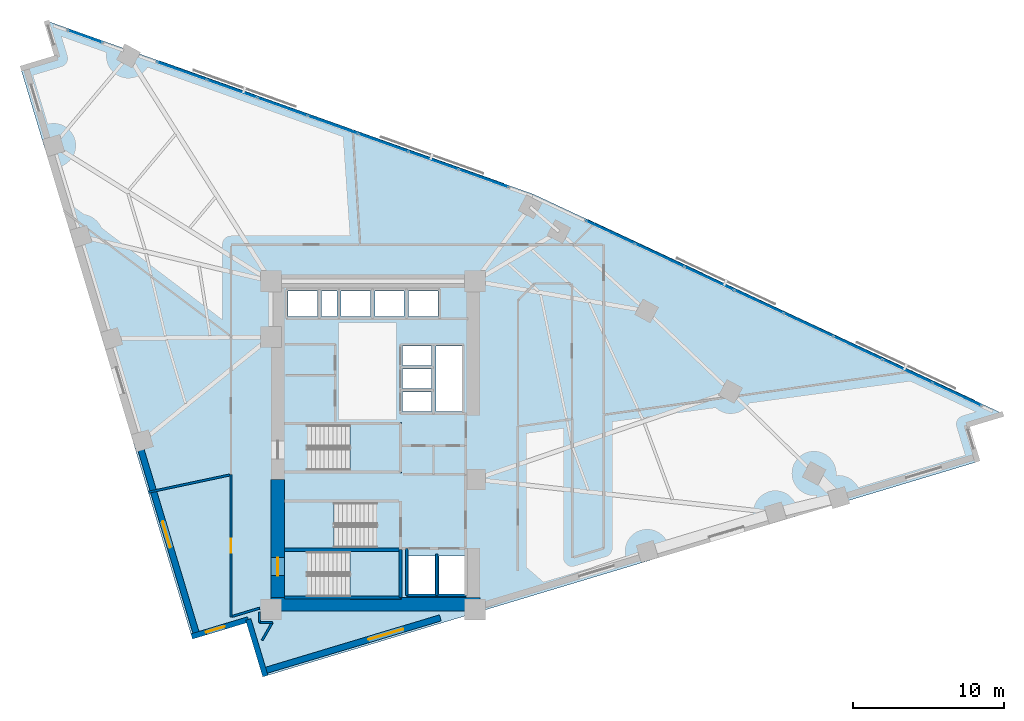
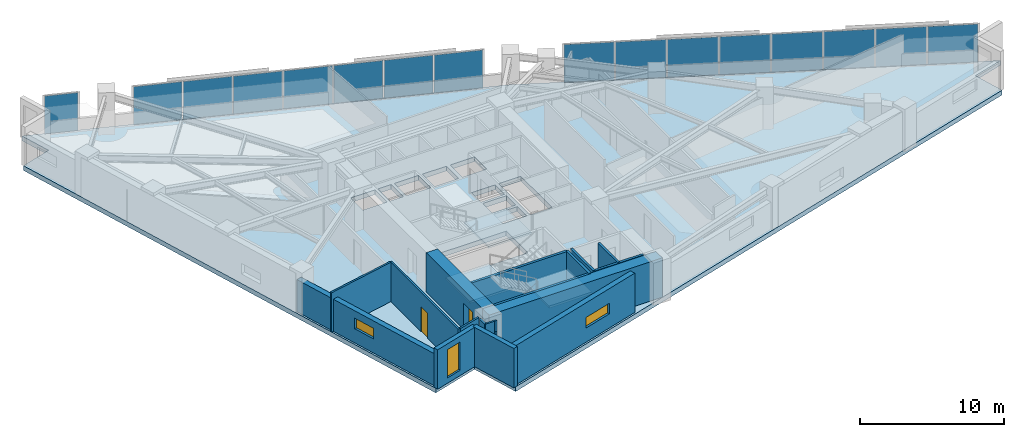
# One storey, part 9 of 16: 18 plates, 18 walls, 4 slabs, 3 windows, 2 doors, 5 openings, 6 elements without a shape of their own.
"""IFC4 building model written with IfcOpenShell, lengths in metres."""

from ifc_helpers import new_model, si_unit, direction, frame, frame_2d, origin, origin_2d, place, context, subcontext, project, spatial, polyline, rectangle, outline, extrude, material, layer, layer_set, type_object, element, fill, aggregate, save


model = new_model("IFC4")

# Units and contexts
model_context = context("Model", 3, precision=1e-05, world=origin(), true_north=direction((0.0, 1.0)))
body_context = subcontext(model_context, "Body", "Model", "MODEL_VIEW")
ifc_project = project(units=[si_unit("LENGTHUNIT", "METRE"), si_unit("AREAUNIT", "SQUARE_METRE"), si_unit("VOLUMEUNIT", "CUBIC_METRE"), si_unit("PLANEANGLEUNIT", "RADIAN"), si_unit("MASSUNIT", "GRAM", prefix="KILO")], contexts=[model_context])

# Site, building, storey
site_placement = place(None, origin())
site = spatial("IfcSite", under=ifc_project, at=site_placement, CompositionType="ELEMENT")
building_placement = place(site_placement, origin())
building = spatial("IfcBuilding", under=site, at=building_placement, Name="Narakoshi Arena Tower", CompositionType="ELEMENT")
storey_placement = place(building_placement, frame((0.0, 0.0, 132.300048828125)))
storey = spatial("IfcBuildingStorey", under=building, at=storey_placement, Name="L35", CompositionType="ELEMENT", Elevation=132.300048828125)

# Curtain wall, plates
ifc_material_1 = material(Name="Anodised bronze aluminium 6063-T6", Category="aluminium")
curtain_wall_type = type_object("IfcCurtainWallType", Name="CW-HYP-MID", PredefinedType="NOTDEFINED", material=ifc_material_1)
curtain_wall_1_placement = place(storey_placement, origin())
curtain_wall_1 = element("IfcCurtainWall", 1, at=curtain_wall_1_placement, inside=storey, type_object=curtain_wall_type, Name="L35 Folded Hypotenuse Curtain Wall 1-1", PredefinedType="NOTDEFINED")
ifc_material_2 = material(Name="Bronze-tinted low-E laminated glass", Category="glass")
ifc_layer_1 = layer(ifc_material_2, 0.0380859375)
ifc_layer_set_1 = layer_set([ifc_layer_1], Name="Bronze-tinted low-E laminated glass")
plate_type_1 = type_object("IfcPlateType", Name="PLT-GLZ-38", PredefinedType="CURTAIN_PANEL", material=ifc_layer_set_1)
plate_1_placement = place(storey_placement, frame((117.545166015625, 49.0, 0.06494140625), z_axis=(0.0, 0.0, 1.0), x_axis=(-0.905881273009, 0.423531721612, 0.0)))
plate_1 = element("IfcPlate", 2, at=plate_1_placement, type_object=plate_type_1, Name="CW-02 panel 1.1", PredefinedType="CURTAIN_PANEL", context=body_context, shape_type="SweptSolid", body=[
    extrude(rectangle(XDim=3.52099609375, YDim=0.0380859375, at=origin_2d()), origin(), (0.0, 0.0, 1.0), 3.2099609375),
])
plate_2_placement = place(storey_placement, frame((114.270751953125, 50.531005859375, 0.06494140625), z_axis=(0.0, 0.0, 1.0), x_axis=(-0.905881273009, 0.423531721612, 0.0)))
plate_2 = element("IfcPlate", 3, at=plate_2_placement, type_object=plate_type_1, Name="CW-02 panel 2.1", PredefinedType="CURTAIN_PANEL", context=body_context, shape_type="SweptSolid", body=[
    extrude(rectangle(XDim=3.558349609375, YDim=0.0380859375, at=origin_2d()), origin(), (0.0, 0.0, 1.0), 3.2099609375),
])
plate_3_placement = place(storey_placement, frame((110.979248046875, 52.06982421875, 0.06494140625), z_axis=(0.0, 0.0, 1.0), x_axis=(-0.905881273009, 0.423531721612, 0.0)))
plate_3 = element("IfcPlate", 4, at=plate_3_placement, type_object=plate_type_1, Name="CW-02 panel 3.1", PredefinedType="CURTAIN_PANEL", context=body_context, shape_type="SweptSolid", body=[
    extrude(rectangle(XDim=3.558349609375, YDim=0.0380859375, at=origin_2d()), origin(), (0.0, 0.0, 1.0), 3.2099609375),
])
plate_4_placement = place(storey_placement, frame((107.687744140625, 53.60888671875, 0.06494140625), z_axis=(0.0, 0.0, 1.0), x_axis=(-0.905881273009, 0.423531721612, 0.0)))
plate_4 = element("IfcPlate", 5, at=plate_4_placement, type_object=plate_type_1, Name="CW-02 panel 4.1", PredefinedType="CURTAIN_PANEL", context=body_context, shape_type="SweptSolid", body=[
    extrude(rectangle(XDim=3.558349609375, YDim=0.0380859375, at=origin_2d()), origin(), (0.0, 0.0, 1.0), 3.2099609375),
])
plate_5_placement = place(storey_placement, frame((104.396240234375, 55.147705078125, 0.06494140625), z_axis=(0.0, 0.0, 1.0), x_axis=(-0.905881273009, 0.423531721612, 0.0)))
plate_5 = element("IfcPlate", 6, at=plate_5_placement, type_object=plate_type_1, Name="CW-02 panel 5.1", PredefinedType="CURTAIN_PANEL", context=body_context, shape_type="SweptSolid", body=[
    extrude(rectangle(XDim=3.558349609375, YDim=0.0380859375, at=origin_2d()), origin(), (0.0, 0.0, 1.0), 3.2099609375),
])
plate_6_placement = place(storey_placement, frame((101.104736328125, 56.6865234375, 0.06494140625), z_axis=(0.0, 0.0, 1.0), x_axis=(-0.905881273009, 0.423531721612, 0.0)))
plate_6 = element("IfcPlate", 7, at=plate_6_placement, type_object=plate_type_1, Name="CW-02 panel 6.1", PredefinedType="CURTAIN_PANEL", context=body_context, shape_type="SweptSolid", body=[
    extrude(rectangle(XDim=3.558349609375, YDim=0.0380859375, at=origin_2d()), origin(), (0.0, 0.0, 1.0), 3.2099609375),
])
plate_7_placement = place(storey_placement, frame((97.813232421875, 58.2255859375, 0.06494140625), z_axis=(0.0, 0.0, 1.0), x_axis=(-0.905881273009, 0.423531721612, 0.0)))
plate_7 = element("IfcPlate", 8, at=plate_7_placement, type_object=plate_type_1, Name="CW-02 panel 7.1", PredefinedType="CURTAIN_PANEL", context=body_context, shape_type="SweptSolid", body=[
    extrude(rectangle(XDim=3.558349609375, YDim=0.0380859375, at=origin_2d()), origin(), (0.0, 0.0, 1.0), 3.2099609375),
])
plate_8_placement = place(storey_placement, frame((94.538818359375, 59.75634765625, 0.06494140625), z_axis=(0.0, 0.0, 1.0), x_axis=(-0.905881273009, 0.423531721612, 0.0)))
plate_8 = element("IfcPlate", 9, at=plate_8_placement, type_object=plate_type_1, Name="CW-02 panel 8.1", PredefinedType="CURTAIN_PANEL", context=body_context, shape_type="SweptSolid", body=[
    extrude(rectangle(XDim=3.52099609375, YDim=0.0380859375, at=origin_2d()), origin(), (0.0, 0.0, 1.0), 3.2099609375),
])
aggregate(curtain_wall_1, [plate_1, plate_2, plate_3, plate_4, plate_5, plate_6, plate_7, plate_8])

curtain_wall_2_placement = place(storey_placement, origin())
curtain_wall_2 = element("IfcCurtainWall", 10, at=curtain_wall_2_placement, inside=storey, type_object=curtain_wall_type, Name="L35 Folded Hypotenuse Curtain Wall 2-1", PredefinedType="NOTDEFINED")
plate_9_placement = place(storey_placement, frame((86.125244140625, 63.327880859375, 0.06494140625), z_axis=(0.0, 0.0, 1.0), x_axis=(-0.94203368957, 0.335518297139, 0.0)))
plate_9 = element("IfcPlate", 11, at=plate_9_placement, type_object=plate_type_1, Name="CW-02 panel 1.1", PredefinedType="CURTAIN_PANEL", context=body_context, shape_type="SweptSolid", body=[
    extrude(rectangle(XDim=3.437744140625, YDim=0.0380859375, at=origin_2d()), origin(), (0.0, 0.0, 1.0), 3.2099609375),
])
plate_10_placement = place(storey_placement, frame((82.79833984375, 64.512939453125, 0.06494140625), z_axis=(0.0, 0.0, 1.0), x_axis=(-0.94203368957, 0.335518297139, 0.0)))
plate_10 = element("IfcPlate", 12, at=plate_10_placement, type_object=plate_type_1, Name="CW-02 panel 2.1", PredefinedType="CURTAIN_PANEL", context=body_context, shape_type="SweptSolid", body=[
    extrude(rectangle(XDim=3.475341796875, YDim=0.0380859375, at=origin_2d()), origin(), (0.0, 0.0, 1.0), 3.2099609375),
])
plate_11_placement = place(storey_placement, frame((79.453857421875, 65.7041015625, 0.06494140625), z_axis=(0.0, 0.0, 1.0), x_axis=(-0.94203368957, 0.335518297139, 0.0)))
plate_11 = element("IfcPlate", 13, at=plate_11_placement, type_object=plate_type_1, Name="CW-02 panel 3.1", PredefinedType="CURTAIN_PANEL", context=body_context, shape_type="SweptSolid", body=[
    extrude(rectangle(XDim=3.475341796875, YDim=0.0380859375, at=origin_2d()), origin(), (0.0, 0.0, 1.0), 3.2099609375),
])
plate_12_placement = place(storey_placement, frame((76.109130859375, 66.895263671875, 0.06494140625), z_axis=(0.0, 0.0, 1.0), x_axis=(-0.94203368957, 0.335518297139, 0.0)))
plate_12 = element("IfcPlate", 14, at=plate_12_placement, type_object=plate_type_1, Name="CW-02 panel 4.1", PredefinedType="CURTAIN_PANEL", context=body_context, shape_type="SweptSolid", body=[
    extrude(rectangle(XDim=3.475341796875, YDim=0.0380859375, at=origin_2d()), origin(), (0.0, 0.0, 1.0), 3.2099609375),
])
plate_13_placement = place(storey_placement, frame((72.7646484375, 68.08642578125, 0.06494140625), z_axis=(0.0, 0.0, 1.0), x_axis=(-0.94203368957, 0.335518297139, 0.0)))
plate_13 = element("IfcPlate", 15, at=plate_13_placement, type_object=plate_type_1, Name="CW-02 panel 5.1", PredefinedType="CURTAIN_PANEL", context=body_context, shape_type="SweptSolid", body=[
    extrude(rectangle(XDim=3.475341796875, YDim=0.0380859375, at=origin_2d()), origin(), (0.0, 0.0, 1.0), 3.2099609375),
])
plate_14_placement = place(storey_placement, frame((69.420166015625, 69.277587890625, 0.06494140625), z_axis=(0.0, 0.0, 1.0), x_axis=(-0.94203368957, 0.335518297139, 0.0)))
plate_14 = element("IfcPlate", 16, at=plate_14_placement, type_object=plate_type_1, Name="CW-02 panel 6.1", PredefinedType="CURTAIN_PANEL", context=body_context, shape_type="SweptSolid", body=[
    extrude(rectangle(XDim=3.475341796875, YDim=0.0380859375, at=origin_2d()), origin(), (0.0, 0.0, 1.0), 3.2099609375),
])
plate_15_placement = place(storey_placement, frame((66.09326171875, 70.462646484375, 0.06494140625), z_axis=(0.0, 0.0, 1.0), x_axis=(-0.94203368957, 0.335518297139, 0.0)))
plate_15 = element("IfcPlate", 17, at=plate_15_placement, type_object=plate_type_1, Name="CW-02 panel 7.1", PredefinedType="CURTAIN_PANEL", context=body_context, shape_type="SweptSolid", body=[
    extrude(rectangle(XDim=3.437744140625, YDim=0.0380859375, at=origin_2d()), origin(), (0.0, 0.0, 1.0), 3.2099609375),
])
aggregate(curtain_wall_2, [plate_9, plate_10, plate_11, plate_12, plate_13, plate_14, plate_15])

# Curtain wall, plate
curtain_wall_3_placement = place(storey_placement, origin())
curtain_wall_3 = element("IfcCurtainWall", 18, at=curtain_wall_3_placement, inside=storey, type_object=curtain_wall_type, Name="L35 Folded Hypotenuse Curtain Wall 2-2", PredefinedType="NOTDEFINED")
plate_16_placement = place(storey_placement, frame((59.671142578125, 72.75, 0.06494140625), z_axis=(0.0, 0.0, 1.0), x_axis=(-0.942025293591, 0.335541869571, 0.0)))
plate_16 = element("IfcPlate", 19, at=plate_16_placement, type_object=plate_type_1, Name="CW-02 panel 1.1", PredefinedType="CURTAIN_PANEL", context=body_context, shape_type="SweptSolid", body=[
    extrude(rectangle(XDim=2.3779296875, YDim=0.0380859375, at=origin_2d()), origin(), (0.0, 0.0, 1.0), 3.2099609375),
])
aggregate(curtain_wall_3, [plate_16])

# Plates
ifc_layer_2 = layer(ifc_material_1, 0.090087890625)
ifc_layer_set_2 = layer_set([ifc_layer_2], Name="Anodised bronze aluminium 6063-T6")
plate_type_2 = type_object("IfcPlateType", Name="PLT-SPD-90", PredefinedType="SHEET", material=ifc_layer_set_2)
plate_17_placement = place(storey_placement, frame((105.8720703125, 54.5458984375, -0.369873046875), z_axis=(0.0, 0.0, 1.0), x_axis=(-0.9058795101, 0.423535492234, 0.0)))
element("IfcPlate", 20, at=plate_17_placement, inside=storey, type_object=plate_type_2, Name="L35 Transfer Fascia Bronze Spandrel Panel 1", PredefinedType="SHEET", context=body_context, shape_type="SweptSolid", body=[
    extrude(rectangle(XDim=28.317626953125, YDim=0.090087890625, at=origin_2d()), origin(), (0.0, 0.0, 1.0), 0.3798828125),
])
plate_18_placement = place(storey_placement, frame((76.0009765625, 67.018798828125, -0.369873046875), z_axis=(0.0, 0.0, 1.0), x_axis=(-0.942034031554, 0.33551733695, 0.0)))
element("IfcPlate", 21, at=plate_18_placement, inside=storey, type_object=plate_type_2, Name="L35 Transfer Fascia Bronze Spandrel Panel 2", PredefinedType="SHEET", context=body_context, shape_type="SweptSolid", body=[
    extrude(rectangle(XDim=24.265625, YDim=0.090087890625, at=origin_2d()), origin(), (0.0, 0.0, 1.0), 0.3798828125),
])

# Slab
ifc_material_3 = material(Name="Concrete C45/55", Category="concrete")
ifc_layer_3 = layer(ifc_material_3, 0.39990234375)
ifc_layer_set_3 = layer_set([ifc_layer_3], Name="Concrete C45/55")
slab_type_1 = type_object("IfcSlabType", Name="SLB-CONC-400", PredefinedType="FLOOR", material=ifc_layer_set_3)
slab_1_placement = place(storey_placement, frame((0.0, 0.0, -0.400146484375)))
element("IfcSlab", 22, at=slab_1_placement, inside=storey, type_object=slab_type_1, Name="L35 Structural Floor Slab", PredefinedType="FLOOR", context=body_context, shape_type="SweptSolid", body=[
    extrude(outline(polyline([(71.635498046875, 30.28857421875), (118.908935546875, 44.51611328125), (118.17333984375, 46.96044921875), (120.61767578125, 47.696044921875), (89.422119140625, 62.281005859375), (57.107666015625, 73.790283203125), (57.84326171875, 71.34619140625), (55.39892578125, 70.610595703125), (66.743408203125, 32.917236328125), (70.50390625, 34.048828125), (71.635498046875, 30.28857421875)]), holes=[polyline([(80.5, 35.550048828125), (74.47998046875, 35.550048828125), (74.47998046875, 38.550048828125), (80.5, 38.550048828125), (80.5, 35.550048828125)]), polyline([(82.89990234375, 35.75), (81.14990234375, 35.75), (81.14990234375, 38.25), (82.89990234375, 38.25), (82.89990234375, 35.75)]), polyline([(83.14990234375, 35.75), (83.14990234375, 38.25), (84.89990234375, 38.25), (84.89990234375, 35.75), (83.14990234375, 35.75)]), polyline([(72.949951171875, 38.800048828125), (72.949951171875, 41.800048828125), (78.969970703125, 41.800048828125), (78.969970703125, 38.800048828125), (72.949951171875, 38.800048828125)]), polyline([(74.47998046875, 43.949951171875), (74.47998046875, 46.949951171875), (80.5, 46.949951171875), (80.5, 43.949951171875), (74.47998046875, 43.949951171875)]), polyline([(82.949951171875, 47.840087890625), (82.949951171875, 52.199951171875), (84.699951171875, 52.199951171875), (84.699951171875, 47.840087890625), (82.949951171875, 47.840087890625)]), polyline([(80.75, 47.85009765625), (80.75, 49.14990234375), (82.64990234375, 49.14990234375), (82.64990234375, 47.85009765625), (80.75, 47.85009765625)]), polyline([(80.75, 49.3701171875), (80.75, 50.669921875), (82.64990234375, 50.669921875), (82.64990234375, 49.3701171875), (80.75, 49.3701171875)]), polyline([(80.75, 50.889892578125), (80.75, 52.18994140625), (82.64990234375, 52.18994140625), (82.64990234375, 50.889892578125), (80.75, 50.889892578125)]), polyline([(73.14990234375, 54.14990234375), (73.14990234375, 55.85009765625), (75.10009765625, 55.85009765625), (75.10009765625, 54.14990234375), (73.14990234375, 54.14990234375)]), polyline([(75.35009765625, 54.14990234375), (75.35009765625, 55.85009765625), (76.39990234375, 55.85009765625), (76.39990234375, 54.14990234375), (75.35009765625, 54.14990234375)]), polyline([(76.64990234375, 54.14990234375), (76.64990234375, 55.85009765625), (78.60009765625, 55.85009765625), (78.60009765625, 54.14990234375), (76.64990234375, 54.14990234375)]), polyline([(78.89990234375, 54.14990234375), (78.89990234375, 55.85009765625), (80.85009765625, 55.85009765625), (80.85009765625, 54.14990234375), (78.89990234375, 54.14990234375)]), polyline([(81.14990234375, 54.14990234375), (81.14990234375, 55.85009765625), (83.10009765625, 55.85009765625), (83.10009765625, 54.14990234375), (81.14990234375, 54.14990234375)])]), origin(), (0.0, 0.0, 1.0), 0.400146484375),
])

# Stair, slab
stair_type = type_object("IfcStairType", Name="STR-CORE-360", PredefinedType="TWO_STRAIGHT_RUN_STAIR", material=ifc_material_3)
stair_1_placement = place(storey_placement, origin())
stair_1 = element("IfcStair", 23, at=stair_1_placement, inside=storey, type_object=stair_type, Name="L35 Core Escape Stair ST1", PredefinedType="TWO_STRAIGHT_RUN_STAIR")
ifc_layer_4 = layer(ifc_material_3, 0.18994140625)
ifc_layer_set_4 = layer_set([ifc_layer_4], Name="Concrete C45/55")
slab_type_2 = type_object("IfcSlabType", Name="SLB-LND-190", PredefinedType="LANDING", material=ifc_layer_set_4)
slab_2_placement = place(storey_placement, frame((0.0, 0.0, 1.60986328125)))
slab_2 = element("IfcSlab", 24, at=slab_2_placement, type_object=slab_type_2, Name="ST1 landing 1", PredefinedType="LANDING", context=body_context, shape_type="SweptSolid", body=[
    extrude(outline(polyline([(77.25, 35.3701171875), (80.679931640625, 35.3701171875), (80.679931640625, 38.72998046875), (77.25, 38.72998046875), (77.25, 35.3701171875)])), origin(), (0.0, 0.0, 1.0), 0.190185546875),
])
aggregate(stair_1, [slab_2])

stair_2_placement = place(storey_placement, origin())
stair_2 = element("IfcStair", 25, at=stair_2_placement, inside=storey, type_object=stair_type, Name="L35 Core Escape Stair ST2", PredefinedType="TWO_STRAIGHT_RUN_STAIR")
slab_3_placement = place(storey_placement, frame((0.0, 0.0, 1.60986328125)))
slab_3 = element("IfcSlab", 26, at=slab_3_placement, type_object=slab_type_2, Name="ST2 landing 1", PredefinedType="LANDING", context=body_context, shape_type="SweptSolid", body=[
    extrude(outline(polyline([(72.77001953125, 38.6201171875), (76.199951171875, 38.6201171875), (76.199951171875, 41.97998046875), (72.77001953125, 41.97998046875), (72.77001953125, 38.6201171875)])), origin(), (0.0, 0.0, 1.0), 0.190185546875),
])
aggregate(stair_2, [slab_3])

stair_3_placement = place(storey_placement, origin())
stair_3 = element("IfcStair", 27, at=stair_3_placement, inside=storey, type_object=stair_type, Name="L35 Core Escape Stair ST3", PredefinedType="TWO_STRAIGHT_RUN_STAIR")
slab_4_placement = place(storey_placement, frame((0.0, 0.0, 1.60986328125)))
slab_4 = element("IfcSlab", 28, at=slab_4_placement, type_object=slab_type_2, Name="ST3 landing 1", PredefinedType="LANDING", context=body_context, shape_type="SweptSolid", body=[
    extrude(outline(polyline([(77.25, 43.77001953125), (80.679931640625, 43.77001953125), (80.679931640625, 47.1298828125), (77.25, 47.1298828125), (77.25, 43.77001953125)])), origin(), (0.0, 0.0, 1.0), 0.190185546875),
])
aggregate(stair_3, [slab_4])

# Wall, opening, door
ifc_material_4 = material(Name="Concrete C60/75", Category="concrete")
ifc_layer_5 = layer(ifc_material_4, 0.89990234375)
ifc_layer_set_5 = layer_set([ifc_layer_5], Name="Concrete C60/75")
wall_type_1 = type_object("IfcWallType", Name="WL-CORE-900", PredefinedType="SHEAR", material=ifc_layer_set_5)
wall_1_placement = place(storey_placement, frame((72.449951171875, 35.5, -0.400146484375), z_axis=(0.0, 0.0, 1.0), x_axis=(0.0, 1.0, 0.0)))
wall_1 = element("IfcWall", 29, at=wall_1_placement, inside=storey, type_object=wall_type_1, Name="L35 Central Core Shear Wall CW-APX-W", PredefinedType="SHEAR", context=body_context, shape_type="SweptSolid", body=[
    extrude(rectangle(XDim=7.85009765625, YDim=0.89990234375, at=frame_2d((3.925048828125, 0.0))), origin(), (0.0, 0.0, 1.0), 3.739990234375),
])
opening_1_placement = place(wall_1_placement, frame((1.449951171875, 0.0, 0.39990234375)))
opening_1 = element("IfcOpeningElement", 30, at=opening_1_placement, cuts=wall_1, Name="Opening D-03", PredefinedType="OPENING", context=body_context, shape_type="SweptSolid", body=[
    extrude(rectangle(XDim=1.199951171875, YDim=2.199951171875, at=frame_2d((0.60009765625, 1.10009765625))), frame((0.0, 0.4599609375, 0.0), z_axis=(0.0, -1.0, 0.0), x_axis=(1.0, 0.0, 0.0)), (0.0, 0.0, 1.0), 0.919921875),
])
ifc_material_5 = material(Name="Painted galvanized steel", Category="steel")
door_type_1 = type_object("IfcDoorType", Name="DR-STR-1200", OperationType="NOTDEFINED", PredefinedType="USERDEFINED", material=ifc_material_5)
door_1_placement = place(opening_1_placement, frame((1.199951171875, 0.0, 0.0), z_axis=(0.0, 0.0, 1.0), x_axis=(-1.0, 0.0, 0.0)))
door_1 = element("IfcDoor", 31, at=door_1_placement, inside=storey, type_object=door_type_1, Name="DR-L35-001", ObjectType="EXITDOOR", OperationType="SINGLE_SWING_LEFT", OverallHeight=2.199951171875, OverallWidth=1.199951171875, PredefinedType="USERDEFINED", context=body_context, shape_type="SweptSolid", body=[
    extrude(rectangle(XDim=1.199951171875, YDim=2.199951171875, at=frame_2d((0.60009765625, 1.10009765625))), frame((0.0, 0.02490234375, 0.0), z_axis=(0.0, -1.0, 0.0), x_axis=(1.0, 0.0, 0.0)), (0.0, 0.0, 1.0), 0.050048828125),
])
fill(opening_1, door_1)

# Wall
wall_2_placement = place(storey_placement, frame((72.0, 35.050048828125, -0.400146484375), z_axis=(0.0, 0.0, 1.0), x_axis=(1.0, 0.0, 0.0)))
element("IfcWall", 32, at=wall_2_placement, inside=storey, type_object=wall_type_1, Name="L35 Central Core Shear Wall CW-APX-S", PredefinedType="SHEAR", context=body_context, shape_type="SweptSolid", body=[
    extrude(rectangle(XDim=13.89990234375, YDim=0.89990234375, at=frame_2d((6.949951171875, 0.0))), origin(), (0.0, 0.0, 1.0), 3.739990234375),
])

# Wall, opening, window
ifc_material_6 = material(Name="Precast concrete C45/55", Category="concrete")
ifc_layer_6 = layer(ifc_material_6, 0.419921875)
ifc_layer_set_6 = layer_set([ifc_layer_6], Name="Precast concrete C45/55")
wall_type_2 = type_object("IfcWallType", Name="WL-POD-420", PredefinedType="SOLIDWALL", material=ifc_layer_set_6)
wall_3_placement = place(storey_placement, frame((71.53466796875, 30.62353515625, 0.0), z_axis=(0.0, 0.0, 1.0), x_axis=(0.957571099539, 0.288197136226, 0.0)))
wall_3 = element("IfcWall", 33, at=wall_3_placement, inside=storey, type_object=wall_type_2, Name="L35 Architectural Concrete Facade Wall LEGA-1", PredefinedType="SOLIDWALL", context=body_context, shape_type="SweptSolid", body=[
    extrude(rectangle(XDim=12.23583984375, YDim=0.419921875, at=frame_2d((6.117919921875, 0.0))), origin(), (0.0, 0.0, 1.0), 3.33984375),
])
opening_2_placement = place(wall_3_placement, frame((7.263916015625, 0.0, 1.199951171875)))
opening_2 = element("IfcOpeningElement", 34, at=opening_2_placement, cuts=wall_3, Name="Opening WN-01", PredefinedType="OPENING", context=body_context, shape_type="SweptSolid", body=[
    extrude(rectangle(XDim=2.39990234375, YDim=0.89990234375, at=frame_2d((1.199951171875, 0.449951171875))), frame((0.0, 0.219970703125, 0.0), z_axis=(0.0, -1.0, 0.0), x_axis=(1.0, 0.0, 0.0)), (0.0, 0.0, 1.0), 0.43994140625),
])
window_type_1 = type_object("IfcWindowType", Name="WIN-SLT-24x09", PartitioningType="SINGLE_PANEL", PredefinedType="WINDOW", material=ifc_material_2)
window_1_placement = place(opening_2_placement, origin())
window_1 = element("IfcWindow", 35, at=window_1_placement, inside=storey, type_object=window_type_1, Name="L35 LEGA1 Horizontal Slot Window 1", OverallHeight=0.89990234375, OverallWidth=2.39990234375, PartitioningType="SINGLE_PANEL", PredefinedType="WINDOW", context=body_context, shape_type="SweptSolid", body=[
    extrude(rectangle(XDim=2.39990234375, YDim=0.89990234375, at=frame_2d((1.199951171875, 0.449951171875))), frame((0.0, 0.030029296875, 0.0), z_axis=(0.0, -1.0, 0.0), x_axis=(1.0, 0.0, 0.0)), (0.0, 0.0, 1.0), 0.06005859375),
])
fill(opening_2, window_1)

wall_4_placement = place(storey_placement, frame((63.221435546875, 45.833740234375, 0.0), z_axis=(0.0, 0.0, 1.0), x_axis=(0.288202962273, -0.957569346072, 0.0)))
wall_4 = element("IfcWall", 36, at=wall_4_placement, inside=storey, type_object=wall_type_2, Name="L35 Architectural Concrete Facade Wall LEGB-3", PredefinedType="SOLIDWALL", context=body_context, shape_type="SweptSolid", body=[
    extrude(rectangle(XDim=13.383544921875, YDim=0.419921875, at=frame_2d((6.69189453125, 0.0))), origin(), (0.0, 0.0, 1.0), 2.724853515625),
])
opening_3_placement = place(wall_4_placement, frame((5.5166015625, 0.0, 1.199951171875)))
opening_3 = element("IfcOpeningElement", 37, at=opening_3_placement, cuts=wall_4, Name="Opening WN-02", PredefinedType="OPENING", context=body_context, shape_type="SweptSolid", body=[
    extrude(rectangle(XDim=1.800048828125, YDim=0.89990234375, at=frame_2d((0.89990234375, 0.449951171875))), frame((0.0, 0.219970703125, 0.0), z_axis=(0.0, -1.0, 0.0), x_axis=(1.0, 0.0, 0.0)), (0.0, 0.0, 1.0), 0.43994140625),
])
window_type_2 = type_object("IfcWindowType", Name="WIN-SLT-18x09", PartitioningType="SINGLE_PANEL", PredefinedType="WINDOW", material=ifc_material_2)
window_2_placement = place(opening_3_placement, origin())
window_2 = element("IfcWindow", 38, at=window_2_placement, inside=storey, type_object=window_type_2, Name="L35 LEGB3 Horizontal Slot Window 1", OverallHeight=0.89990234375, OverallWidth=1.800048828125, PartitioningType="SINGLE_PANEL", PredefinedType="WINDOW", context=body_context, shape_type="SweptSolid", body=[
    extrude(rectangle(XDim=1.800048828125, YDim=0.89990234375, at=frame_2d((0.89990234375, 0.449951171875))), frame((0.0, 0.030029296875, 0.0), z_axis=(0.0, -1.0, 0.0), x_axis=(1.0, 0.0, 0.0)), (0.0, 0.0, 1.0), 0.06005859375),
])
fill(opening_3, window_2)

wall_5_placement = place(storey_placement, frame((66.743408203125, 32.917236328125, 0.0), z_axis=(0.0, 0.0, 1.0), x_axis=(0.957584687378, 0.288151985068, 0.0)))
wall_5 = element("IfcWall", 39, at=wall_5_placement, inside=storey, type_object=wall_type_2, Name="L35 Re-Entrant Corner Notch Wall NTA-1", PredefinedType="SOLIDWALL", context=body_context, shape_type="SweptSolid", body=[
    extrude(rectangle(XDim=3.927001953125, YDim=0.360107421875, at=frame_2d((1.96337890625, 0.0))), origin(), (0.0, 0.0, 1.0), 3.33984375),
])
opening_4_placement = place(wall_5_placement, frame((0.989013671875, 0.0, 0.449951171875)))
opening_4 = element("IfcOpeningElement", 40, at=opening_4_placement, cuts=wall_5, Name="Opening WN-06", PredefinedType="OPENING", context=body_context, shape_type="SweptSolid", body=[
    extrude(rectangle(XDim=1.300048828125, YDim=2.39990234375, at=frame_2d((0.64990234375, 1.199951171875))), frame((0.0, 0.18994140625, 0.0), z_axis=(0.0, -1.0, 0.0), x_axis=(1.0, 0.0, 0.0)), (0.0, 0.0, 1.0), 0.380126953125),
])
window_type_3 = type_object("IfcWindowType", Name="WIN-NTC-16x24", PartitioningType="SINGLE_PANEL", PredefinedType="WINDOW", material=ifc_material_2)
window_3_placement = place(opening_4_placement, origin())
window_3 = element("IfcWindow", 41, at=window_3_placement, inside=storey, type_object=window_type_3, Name="L35 Corner Notch Window NTA", OverallHeight=2.39990234375, OverallWidth=1.300048828125, PartitioningType="SINGLE_PANEL", PredefinedType="WINDOW", context=body_context, shape_type="SweptSolid", body=[
    extrude(rectangle(XDim=1.300048828125, YDim=2.39990234375, at=frame_2d((0.64990234375, 1.199951171875))), frame((0.0, 0.030029296875, 0.0), z_axis=(0.0, -1.0, 0.0), x_axis=(1.0, 0.0, 0.0)), (0.0, 0.0, 1.0), 0.06005859375),
])
fill(opening_4, window_3)

# Walls
wall_6_placement = place(storey_placement, frame((70.50390625, 34.048828125, 0.0), z_axis=(0.0, 0.0, 1.0), x_axis=(0.288169140251, -0.957579524952, 0.0)))
element("IfcWall", 42, at=wall_6_placement, inside=storey, type_object=wall_type_2, Name="L35 Re-Entrant Corner Notch Wall NTA-2", PredefinedType="SOLIDWALL", context=body_context, shape_type="SweptSolid", body=[
    extrude(rectangle(XDim=3.9267578125, YDim=0.360107421875, at=frame_2d((1.96337890625, 0.0))), origin(), (0.0, 0.0, 1.0), 3.33984375),
])
ifc_material_7 = material(Name="Concrete C40/50", Category="concrete")
ifc_layer_7 = layer(ifc_material_7, 0.280029296875)
ifc_layer_set_7 = layer_set([ifc_layer_7], Name="Concrete C40/50")
wall_type_3 = type_object("IfcWallType", Name="WL-RISER-280", PredefinedType="PLUMBINGWALL", material=ifc_layer_set_7)
wall_7_placement = place(storey_placement, frame((83.0, 35.64990234375, 0.0), z_axis=(0.0, 0.0, 1.0), x_axis=(0.0, 1.0, 0.0)))
element("IfcWall", 43, at=wall_7_placement, inside=storey, type_object=wall_type_3, Name="L35 Core Wall FF-DIV", PredefinedType="PLUMBINGWALL", context=body_context, shape_type="SweptSolid", body=[
    extrude(rectangle(XDim=2.75, YDim=0.159912109375, at=frame_2d((1.375, 0.0))), origin(), (0.0, 0.0, 1.0), 3.33984375),
])
ifc_material_8 = material(Name="Concrete C50/60", Category="concrete")
ifc_layer_8 = layer(ifc_material_8, 0.35009765625)
ifc_layer_set_8 = layer_set([ifc_layer_8], Name="Concrete C50/60")
wall_type_4 = type_object("IfcWallType", Name="WL-SHAFT-350", PredefinedType="SOLIDWALL", material=ifc_layer_set_8)
for number, where, z_axis, x_axis, name in (
    (44, (72.919921875, 35.52001953125, -0.400146484375), (0.0, 0.0, 1.0), (1.0, 0.0, 0.0), "L35 Core Wall ST1-S"),
    (45, (72.919921875, 38.675048828125, -0.400146484375), (0.0, 0.0, 1.0), (1.0, 0.0, 0.0), "L35 Core Wall ST12-DIV"),
):
    element("IfcWall", number, at=place(storey_placement, frame(where, z_axis=z_axis, x_axis=x_axis)), inside=storey, type_object=wall_type_4, Name=name, PredefinedType="SOLIDWALL", context=body_context, shape_type="SweptSolid", body=[
        extrude(rectangle(XDim=7.7001953125, YDim=0.199951171875, at=frame_2d((3.85009765625, 0.0))), origin(), (0.0, 0.0, 1.0), 3.739990234375),
    ])
wall_8_placement = place(storey_placement, frame((80.6201171875, 35.52001953125, -0.400146484375), z_axis=(0.0, 0.0, 1.0), x_axis=(0.0, 1.0, 0.0)))
element("IfcWall", 46, at=wall_8_placement, inside=storey, type_object=wall_type_4, Name="L35 Core Wall ST1-E", PredefinedType="SOLIDWALL", context=body_context, shape_type="SweptSolid", body=[
    extrude(rectangle(XDim=3.155029296875, YDim=0.199951171875, at=frame_2d((1.57763671875, 0.0))), origin(), (0.0, 0.0, 1.0), 3.739990234375),
])
wall_9_placement = place(storey_placement, frame((81.02001953125, 35.64990234375, 0.0), z_axis=(0.0, 0.0, 1.0), x_axis=(0.0, 1.0, 0.0)))
element("IfcWall", 47, at=wall_9_placement, inside=storey, type_object=wall_type_4, Name="L35 Core Wall FF-W", PredefinedType="SOLIDWALL", context=body_context, shape_type="SweptSolid", body=[
    extrude(rectangle(XDim=3.10009765625, YDim=0.179931640625, at=frame_2d((1.550048828125, 0.0))), origin(), (0.0, 0.0, 1.0), 3.33984375),
])
wall_10_placement = place(storey_placement, frame((81.02001953125, 35.64990234375, 0.0), z_axis=(0.0, 0.0, 1.0), x_axis=(1.0, 0.0, 0.0)))
element("IfcWall", 48, at=wall_10_placement, inside=storey, type_object=wall_type_4, Name="L35 Core Wall FF-S", PredefinedType="SOLIDWALL", context=body_context, shape_type="SweptSolid", body=[
    extrude(rectangle(XDim=3.929931640625, YDim=0.179931640625, at=frame_2d((1.96484375, 0.0))), origin(), (0.0, 0.0, 1.0), 3.33984375),
])

# Wall, opening, door
ifc_material_9 = material(Name="Moisture-resistant cement-board partition")
ifc_layer_9 = layer(ifc_material_9, 0.14501953125)
ifc_layer_set_9 = layer_set([ifc_layer_9], Name="Moisture-resistant cement-board partition")
wall_type_5 = type_object("IfcWallType", Name="WL-WET-145", PredefinedType="PARTITIONING", material=ifc_layer_set_9)
wall_11_placement = place(storey_placement, frame((69.353759765625, 43.6572265625, 0.0), z_axis=(0.0, 0.0, 1.0), x_axis=(0.0, -1.0, 0.0)))
wall_11 = element("IfcWall", 49, at=wall_11_placement, inside=storey, type_object=wall_type_5, Name="L35 Corridor Partition 01-1", PredefinedType="PARTITIONING", context=body_context, shape_type="SweptSolid", body=[
    extrude(rectangle(XDim=9.432373046875, YDim=0.14501953125, at=frame_2d((4.71630859375, 0.0))), origin(), (0.0, 0.0, 1.0), 3.33984375),
])
opening_5_placement = place(wall_11_placement, frame((4.26611328125, 0.0, 0.0)))
opening_5 = element("IfcOpeningElement", 50, at=opening_5_placement, cuts=wall_11, Name="Opening D-08", PredefinedType="OPENING", context=body_context, shape_type="SweptSolid", body=[
    extrude(rectangle(XDim=0.89990234375, YDim=2.10009765625, at=frame_2d((0.449951171875, 1.050048828125))), frame((0.0, 0.08251953125, 0.0), z_axis=(0.0, -1.0, 0.0), x_axis=(1.0, 0.0, 0.0)), (0.0, 0.0, 1.0), 0.1650390625),
])
ifc_material_10 = material(Name="Moisture-resistant laminate timber", Category="wood")
door_type_2 = type_object("IfcDoorType", Name="DR-WC-900", OperationType="NOTDEFINED", PredefinedType="DOOR", material=ifc_material_10)
door_2_placement = place(opening_5_placement, frame((0.89990234375, 0.0, 0.0), z_axis=(0.0, 0.0, 1.0), x_axis=(-1.0, 0.0, 0.0)))
door_2 = element("IfcDoor", 51, at=door_2_placement, inside=storey, type_object=door_type_2, Name="DR-L35-015", OperationType="SINGLE_SWING_RIGHT", OverallHeight=2.10009765625, OverallWidth=0.89990234375, PredefinedType="DOOR", context=body_context, shape_type="SweptSolid", body=[
    extrude(rectangle(XDim=0.89990234375, YDim=2.10009765625, at=frame_2d((0.449951171875, 1.050048828125))), frame((0.0, 0.02490234375, 0.0), z_axis=(0.0, -1.0, 0.0), x_axis=(1.0, 0.0, 0.0)), (0.0, 0.0, 1.0), 0.050048828125),
])
fill(opening_5, door_2)

# Walls
wall_12_placement = place(storey_placement, frame((69.438232421875, 34.250244140625, 0.0), z_axis=(0.0, 0.0, 1.0), x_axis=(0.957552396669, 0.288259271548, 0.0)))
element("IfcWall", 52, at=wall_12_placement, inside=storey, type_object=wall_type_5, Name="L35 Corridor Partition 01-2", PredefinedType="PARTITIONING", context=body_context, shape_type="SweptSolid", body=[
    extrude(rectangle(XDim=1.89208984375, YDim=0.14501953125, at=frame_2d((0.946044921875, 0.0))), origin(), (0.0, 0.0, 1.0), 3.33984375),
])
wall_13_placement = place(storey_placement, frame((63.862060546875, 42.49072265625, 0.0), z_axis=(0.0, 0.0, 1.0), x_axis=(0.97817186946, 0.207797482653, 0.0)))
element("IfcWall", 53, at=wall_13_placement, inside=storey, type_object=wall_type_5, Name="L35 Inter-Room Partition 01-07", PredefinedType="PARTITIONING", context=body_context, shape_type="SweptSolid", body=[
    extrude(rectangle(XDim=5.52783203125, YDim=0.14501953125, at=frame_2d((2.763916015625, 0.0))), origin(), (0.0, 0.0, 1.0), 3.33984375),
])
wall_14_placement = place(storey_placement, frame((71.25, 34.552734375, 0.0), z_axis=(0.0, 0.0, 1.0), x_axis=(0.0, -1.0, 0.0)))
element("IfcWall", 54, at=wall_14_placement, inside=storey, type_object=wall_type_5, Name="L35 Room Enclosure Partition 01-1", PredefinedType="PARTITIONING", context=body_context, shape_type="SweptSolid", body=[
    extrude(rectangle(XDim=0.70263671875, YDim=0.14501953125, at=frame_2d((0.351318359375, 0.0))), origin(), (0.0, 0.0, 1.0), 3.33984375),
])
wall_15_placement = place(storey_placement, frame((71.25, 33.85009765625, 0.0), z_axis=(0.0, 0.0, 1.0), x_axis=(1.0, 0.0, 0.0)))
element("IfcWall", 55, at=wall_15_placement, inside=storey, type_object=wall_type_5, Name="L35 Room Enclosure Partition 01-2", PredefinedType="PARTITIONING", context=body_context, shape_type="SweptSolid", body=[
    extrude(rectangle(XDim=0.84765625, YDim=0.14501953125, at=frame_2d((0.423828125, 0.0))), origin(), (0.0, 0.0, 1.0), 3.33984375),
])
wall_16_placement = place(storey_placement, frame((72.09765625, 33.85009765625, 0.0), z_axis=(0.0, 0.0, 1.0), x_axis=(-0.494617377681, -0.869110838556, 0.0)))
element("IfcWall", 56, at=wall_16_placement, inside=storey, type_object=wall_type_5, Name="L35 Room Enclosure Partition 01-3", PredefinedType="PARTITIONING", context=body_context, shape_type="SweptSolid", body=[
    extrude(rectangle(XDim=1.36572265625, YDim=0.14501953125, at=frame_2d((0.682861328125, 0.0))), origin(), (0.0, 0.0, 1.0), 3.33984375),
])

save(model, "model.ifc")
